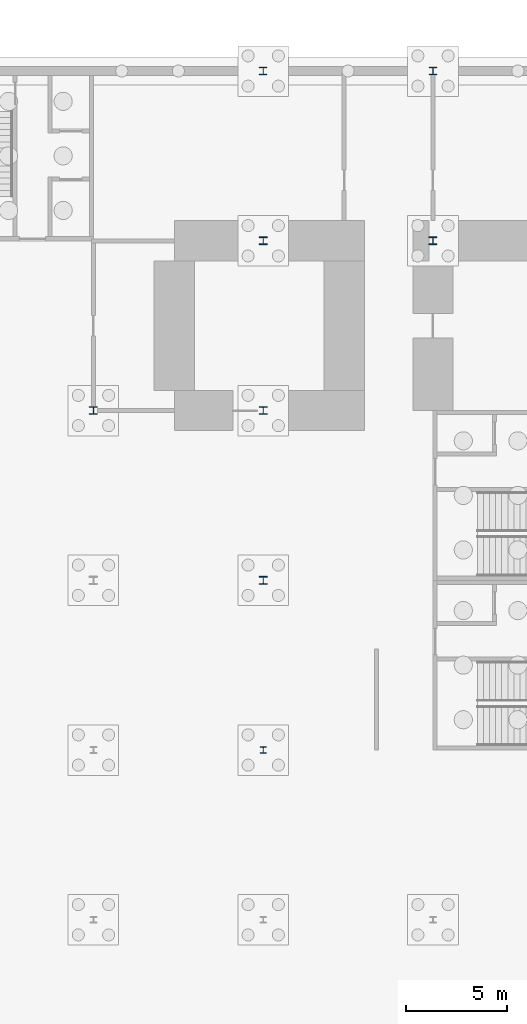
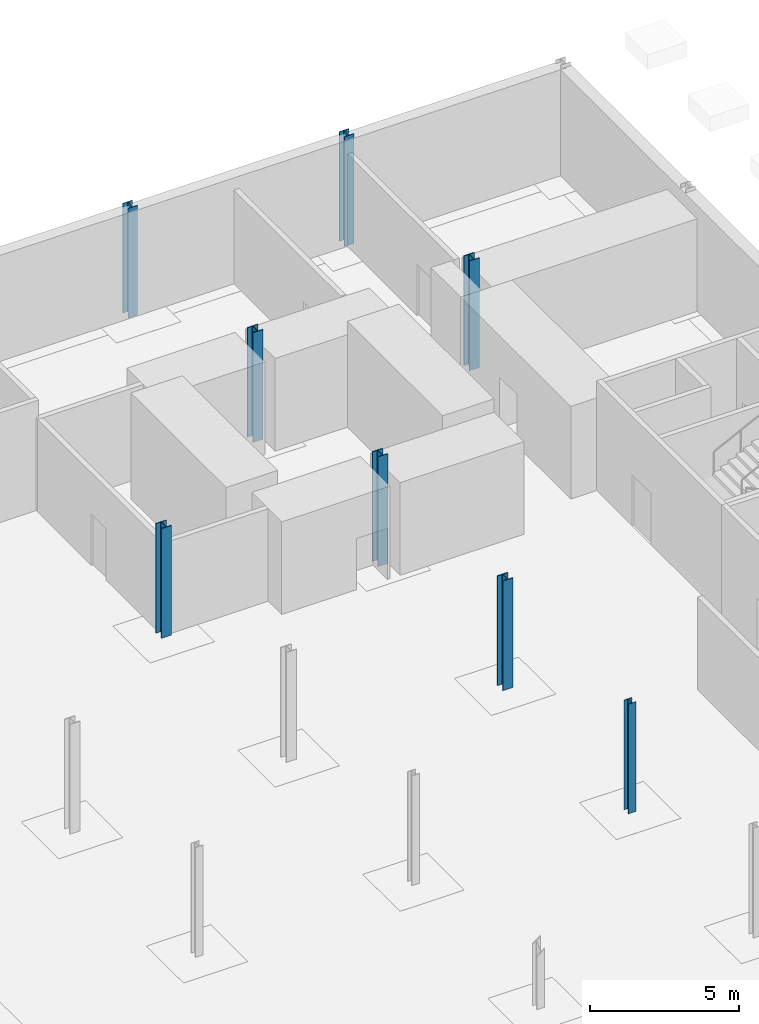
# One storey, part 14 of 35: 8 columns.
"""IFC4 building model written with IfcOpenShell, lengths in metres."""

from ifc_helpers import new_model, si_unit, direction, frame, origin, origin_2d, place, context, subcontext, project, spatial, i_section, extrude, material, material_profile, profile_set, type_object, element, save


model = new_model("IFC4")

# Units and contexts
model_context = context("Model", 3, precision=1e-05, world=origin(), true_north=direction((0.0, 1.0)))
body_context = subcontext(model_context, "Body", "Model", "MODEL_VIEW")
ifc_project = project(units=[si_unit("LENGTHUNIT", "METRE"), si_unit("AREAUNIT", "SQUARE_METRE"), si_unit("VOLUMEUNIT", "CUBIC_METRE"), si_unit("PLANEANGLEUNIT", "RADIAN"), si_unit("MASSUNIT", "GRAM", prefix="KILO")], contexts=[model_context])

# Site, building, storey
site_placement = place(None, origin())
site = spatial("IfcSite", under=ifc_project, at=site_placement, CompositionType="ELEMENT")
building_placement = place(site_placement, origin())
building = spatial("IfcBuilding", under=site, at=building_placement, Name="Ardhachandra Cancer Care Centre", CompositionType="ELEMENT")
storey_placement = place(building_placement, frame((0.0, 0.0, -4.5)))
storey = spatial("IfcBuildingStorey", under=building, at=storey_placement, Name="B1", CompositionType="ELEMENT", Elevation=-4.5)

# Columns
ifc_material_1 = material(Name="Steel E350 (IS 2062)", Category="steel")
ifc_material_profile_1 = material_profile(ifc_material_1, i_section(OverallWidth=0.300048828125, OverallDepth=0.300048828125, WebThickness=0.010986328125, FlangeThickness=0.01904296875, FilletRadius=0.027099609375, at=origin_2d()), Name="WPB 300x300x117.03")
ifc_profile_set_1 = profile_set([ifc_material_profile_1], Name="Steel E350 (IS 2062)")
column_type_1 = type_object("IfcColumnType", Name="Column WPB 300x300x117.03", PredefinedType="COLUMN", material=ifc_profile_set_1)
column_placement = place(storey_placement, frame((128.39990234375, 71.39990234375, 0.0), z_axis=(0.0, 0.0, 1.0), x_axis=(1.0, 0.0, 0.0)))
element("IfcColumn", 1, at=column_placement, inside=storey, type_object=column_type_1, Name="Column H15 B1", PredefinedType="COLUMN", context=body_context, shape_type="SweptSolid", body=[
    extrude(i_section(OverallWidth=0.300048828125, OverallDepth=0.300048828125, WebThickness=0.010986328125, FlangeThickness=0.01904296875, FilletRadius=0.027099609375, at=origin_2d()), origin(), (0.0, 0.0, 1.0), 4.5),
])
ifc_material_2 = material(Name="Steel E350 (IS 2062)", Category="steel")
ifc_material_profile_2 = material_profile(ifc_material_2, i_section(OverallWidth=0.37109375, OverallDepth=0.364013671875, WebThickness=0.01318359375, FlangeThickness=0.021728515625, FilletRadius=0.027099609375, at=origin_2d()), Name="WPB 360x370x165.34")
ifc_profile_set_2 = profile_set([ifc_material_profile_2], Name="Steel E350 (IS 2062)")
column_type_2 = type_object("IfcColumnType", Name="Column WPB 360x370x165.34", PredefinedType="COLUMN", material=ifc_profile_set_2)
for number, where, z_axis, x_axis, name in (
    (2, (128.39990234375, 105.0, 0.0), (0.0, 0.0, 1.0), (1.0, 0.0, 0.0), "Column M15 B1"),
    (3, (136.800048828125, 105.0, 0.0), (0.0, 0.0, 1.0), (1.0, 0.0, 0.0), "Column M16 B1"),
):
    element("IfcColumn", number, at=place(storey_placement, frame(where, z_axis=z_axis, x_axis=x_axis)), inside=storey, type_object=column_type_2, Name=name, PredefinedType="COLUMN", context=body_context, shape_type="SweptSolid", body=[
        extrude(i_section(OverallWidth=0.37109375, OverallDepth=0.364013671875, WebThickness=0.01318359375, FlangeThickness=0.021728515625, FilletRadius=0.027099609375, at=origin_2d()), origin(), (0.0, 0.0, 1.0), 4.5),
    ])
ifc_material_3 = material(Name="Steel E350 (IS 2062)", Category="steel")
ifc_material_profile_3 = material_profile(ifc_material_3, i_section(OverallWidth=0.39501953125, OverallDepth=0.3798828125, WebThickness=0.018798828125, FlangeThickness=0.0302734375, FilletRadius=0.027099609375, at=origin_2d()), Name="WPB 400x400x239.62")
ifc_profile_set_3 = profile_set([ifc_material_profile_3], Name="Steel E350 (IS 2062)")
column_type_3 = type_object("IfcColumnType", Name="Column WPB 400x400x239.62", PredefinedType="COLUMN", material=ifc_profile_set_3)
for number, where, z_axis, x_axis, name in (
    (4, (128.39990234375, 79.800048828125, 0.0), (0.0, 0.0, 1.0), (1.0, 0.0, 0.0), "Column J15 B1"),
    (5, (120.0, 88.199951171875, 0.0), (0.0, 0.0, 1.0), (1.0, 0.0, 0.0), "Column K14 B1"),
    (6, (128.39990234375, 88.199951171875, 0.0), (0.0, 0.0, 1.0), (1.0, 0.0, 0.0), "Column K15 B1"),
    (7, (128.39990234375, 96.60009765625, 0.0), (0.0, 0.0, 1.0), (1.0, 0.0, 0.0), "Column L15 B1"),
    (8, (136.800048828125, 96.60009765625, 0.0), (0.0, 0.0, 1.0), (1.0, 0.0, 0.0), "Column L16 B1"),
):
    element("IfcColumn", number, at=place(storey_placement, frame(where, z_axis=z_axis, x_axis=x_axis)), inside=storey, type_object=column_type_3, Name=name, PredefinedType="COLUMN", context=body_context, shape_type="SweptSolid", body=[
        extrude(i_section(OverallWidth=0.39501953125, OverallDepth=0.3798828125, WebThickness=0.018798828125, FlangeThickness=0.0302734375, FilletRadius=0.027099609375, at=origin_2d()), origin(), (0.0, 0.0, 1.0), 4.5),
    ])

save(model, "model.ifc")
